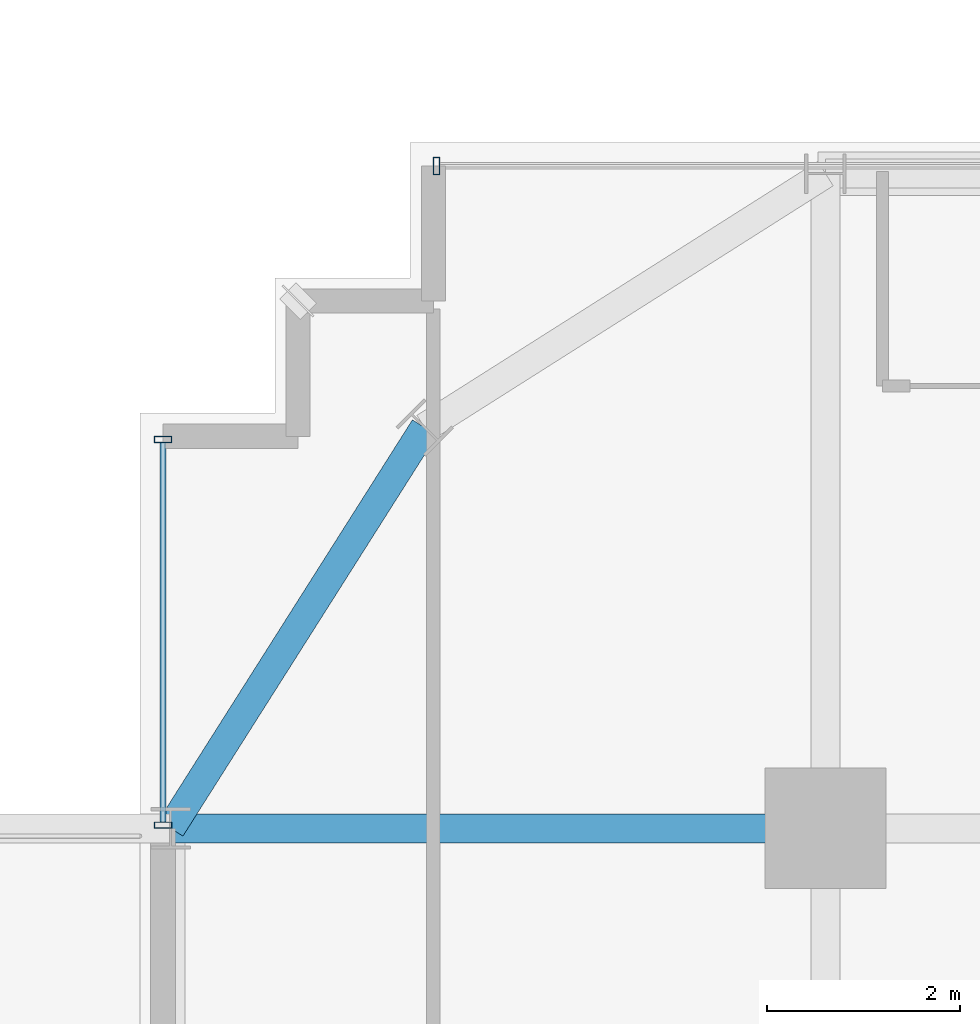
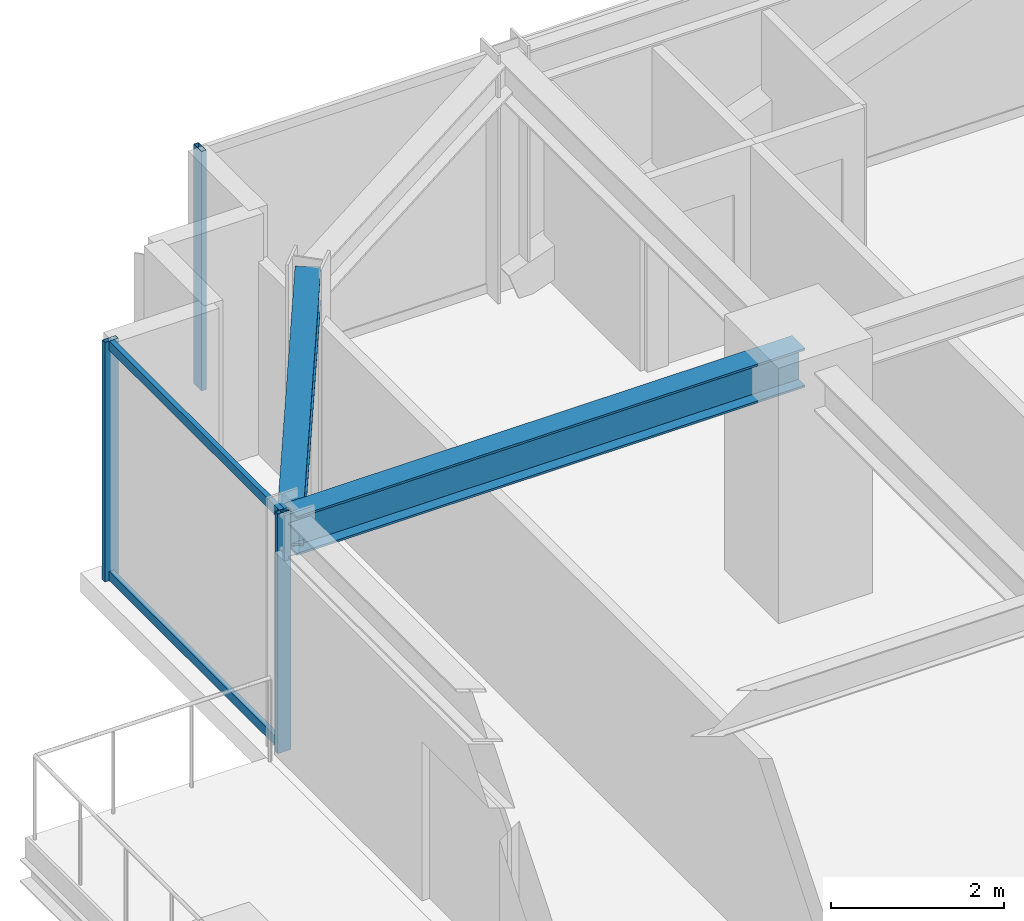
# One storey, part 18 of 39: 5 members, 2 beams, 2 elements without a shape of their own.
"""IFC4 building model written with IfcOpenShell, lengths in metres."""

import ifcopenshell
import ifcopenshell.guid

model = None  # the IFC model being written
_history = None  # IfcOwnerHistory: only IFC2X3 demands one
_inside = {}  # id of a spatial element -> (the spatial element, [elements in it])
_under = {}  # id of a project, library or spatial element -> (it, [spatial elements below it])
_declared = {}  # id of a project -> (the project, [libraries it declares])
_typed = {}  # id of a type object -> (the type object, [elements of that type])
_made_of = {}  # id of a material, layer set ... -> (it, [elements and type objects made of it])


def new_model(schema):
    """Start an empty IFC model of exactly this schema.

    Asked for "IFC4X3", IfcOpenShell would pick the latest addendum, in which some entities
    have other attributes; the version numbers below select the first issue.
    IFC2X3 requires an IfcOwnerHistory on every rooted entity: one is made here for all.
    """
    global model, _history
    if schema == "IFC4X3":
        model = ifcopenshell.file(schema_version=(4, 3, 0, 0))
    else:
        model = ifcopenshell.file(schema=schema)
    _inside.clear()
    _under.clear()
    _declared.clear()
    _typed.clear()
    _made_of.clear()
    _history = None
    if model.schema == "IFC2X3":
        org = make("IfcOrganization", Name="unknown")
        user = make(
            "IfcPersonAndOrganization",
            ThePerson=make("IfcPerson", FamilyName="unknown"),
            TheOrganization=org,
        )
        app = make(
            "IfcApplication",
            ApplicationDeveloper=org,
            Version="unknown",
            ApplicationFullName="unknown",
            ApplicationIdentifier="unknown",
        )
        _history = make(
            "IfcOwnerHistory",
            OwningUser=user,
            OwningApplication=app,
            ChangeAction="ADDED",
            CreationDate=0,
        )
    return model


def make(cls, **values):
    """One entity of the class cls with the attributes given. An attribute that is None is left unset."""
    return model.create_entity(
        cls, **{name: value for name, value in values.items() if value is not None}
    )


def rooted(cls, **values):
    """An entity with a GlobalId (a new one), such as an element, a storey or a relation."""
    return make(cls, GlobalId=ifcopenshell.guid.new(), OwnerHistory=_history, **values)


def si_unit(unit_type, name, prefix=None):
    """IfcSIUnit, for example si_unit("LENGTHUNIT", "METRE", prefix="MILLI")."""
    return make("IfcSIUnit", UnitType=unit_type, Prefix=prefix, Name=name)


def assignment(units):
    """IfcUnitAssignment: the units of a project."""
    return None if units is None else make("IfcUnitAssignment", Units=units)


def point(xyz):
    """IfcCartesianPoint."""
    return None if xyz is None else make("IfcCartesianPoint", Coordinates=xyz)


def direction(xyz):
    """IfcDirection."""
    return None if xyz is None else make("IfcDirection", DirectionRatios=xyz)


def frame(location, z_axis=None, x_axis=None):
    """IfcAxis2Placement3D, a coordinate frame: its origin and axes. An axis left out is left unset."""
    return make(
        "IfcAxis2Placement3D",
        Location=point(location),
        Axis=direction(z_axis),
        RefDirection=direction(x_axis),
    )


def frame_2d(location, x_axis=None):
    """IfcAxis2Placement2D, a coordinate frame in the plane: its origin and x axis."""
    return make(
        "IfcAxis2Placement2D", Location=point(location), RefDirection=direction(x_axis)
    )


def origin():
    """The frame at (0, 0, 0) with its axes left unset."""
    return frame((0.0, 0.0, 0.0))


def origin_2d():
    """The frame at (0, 0) in the plane with its x axis left unset."""
    return frame_2d((0.0, 0.0))


def place(relative_to, where):
    """IfcLocalPlacement: puts the frame where relative to a parent placement (None: the world)."""
    return make(
        "IfcLocalPlacement", PlacementRelTo=relative_to, RelativePlacement=where
    )


def context(
    kind, dimensions, precision=None, world=None, true_north=None, identifier=None
):
    """IfcGeometricRepresentationContext, for example the 3D "Model" context."""
    return make(
        "IfcGeometricRepresentationContext",
        ContextIdentifier=identifier,
        ContextType=kind,
        CoordinateSpaceDimension=dimensions,
        Precision=precision,
        WorldCoordinateSystem=world,
        TrueNorth=true_north,
    )


def subcontext(parent, identifier, kind, view, scale=None):
    """IfcGeometricRepresentationSubContext, for example "Body" below "Model"."""
    return make(
        "IfcGeometricRepresentationSubContext",
        ContextIdentifier=identifier,
        ContextType=kind,
        ParentContext=parent,
        TargetScale=scale,
        TargetView=view,
    )


def project(units=None, contexts=None):
    """IfcProject with its units and contexts."""
    return rooted(
        "IfcProject",
        Name="project",
        RepresentationContexts=contexts,
        UnitsInContext=assignment(units),
    )


def spatial(cls, under=None, at=None, **own):
    """A site, building, storey or space (cls), placed at a placement, below another one or the project."""
    s = rooted(cls, ObjectPlacement=at, **own)
    if under is not None:
        _under.setdefault(under.id(), (under, []))[1].append(s)
    return s


def profile(cls, at=None, kind="AREA", **sizes):
    """A parametric profile (cls). Its sizes go by their IFC names, for example OverallWidth=200.0."""
    return make(cls, ProfileType=kind, Position=at, **sizes)


def hollow_rectangle(**sizes):
    """IfcRectangleHollowProfileDef."""
    return profile("IfcRectangleHollowProfileDef", **sizes)


def i_section(**sizes):
    """IfcIShapeProfileDef."""
    return profile("IfcIShapeProfileDef", **sizes)


def extrude(swept, where, along, depth):
    """IfcExtrudedAreaSolid: the profile swept, set in the frame where, extruded along a direction by depth."""
    return make(
        "IfcExtrudedAreaSolid",
        SweptArea=swept,
        Position=where,
        ExtrudedDirection=direction(along),
        Depth=depth,
    )


def shape(context_of_items, identifier, shape_type, items):
    """IfcShapeRepresentation: the items that make up one representation, for example the "Body"."""
    return make(
        "IfcShapeRepresentation",
        ContextOfItems=context_of_items,
        RepresentationIdentifier=identifier,
        RepresentationType=shape_type,
        Items=items,
    )


def source(mapping_origin, context_of_items, identifier, shape_type, items):
    """IfcRepresentationMap: a shape defined once, which mapped items show again and again."""
    return make(
        "IfcRepresentationMap",
        MappingOrigin=mapping_origin,
        MappedRepresentation=shape(context_of_items, identifier, shape_type, items),
    )


def transform(
    local_origin,
    x_axis=None,
    y_axis=None,
    z_axis=None,
    scale=None,
    scale2=None,
    scale3=None,
    uniform=True,
):
    """IfcCartesianTransformationOperator3D, or its non-uniform kind. x_axis, y_axis, z_axis: its Axis1, 2, 3."""
    if uniform:
        return make(
            "IfcCartesianTransformationOperator3D",
            Axis1=direction(x_axis),
            Axis2=direction(y_axis),
            LocalOrigin=point(local_origin),
            Scale=scale,
            Axis3=direction(z_axis),
        )
    return make(
        "IfcCartesianTransformationOperator3DnonUniform",
        Axis1=direction(x_axis),
        Axis2=direction(y_axis),
        LocalOrigin=point(local_origin),
        Scale=scale,
        Axis3=direction(z_axis),
        Scale2=scale2,
        Scale3=scale3,
    )


def mapped(mapping_source, mapping_target):
    """IfcMappedItem: shows the shape of a source again, moved by a transform."""
    return make(
        "IfcMappedItem", MappingSource=mapping_source, MappingTarget=mapping_target
    )


def material(Name=None, Category=None):
    """IfcMaterial."""
    return make("IfcMaterial", Name=Name, Category=Category)


def material_profile(
    of_material, cross_section, Name=None, Category=None, Priority=None
):
    """IfcMaterialProfile: a cross section and its material."""
    return make(
        "IfcMaterialProfile",
        Name=Name,
        Material=of_material,
        Profile=cross_section,
        Priority=Priority,
        Category=Category,
    )


def profile_set(profiles, Name=None, composite=None):
    """IfcMaterialProfileSet."""
    return make(
        "IfcMaterialProfileSet",
        Name=Name,
        MaterialProfiles=profiles,
        CompositeProfile=composite,
    )


def made_of(thing, what):
    """Note that an element or type object is made of a material, layer set ...; save() writes the relation."""
    if what is not None:
        _made_of.setdefault(what.id(), (what, []))[1].append(thing)
    return thing


def type_object(cls, material=None, **own):
    """A type object (cls), such as IfcWallType, which elements share."""
    return made_of(rooted(cls, **own), material)


def element(
    cls,
    number,
    at=None,
    inside=None,
    cuts=None,
    type_object=None,
    material=None,
    context=None,
    identifier="Body",
    shape_type=None,
    held_by="IfcProductDefinitionShape",
    body=None,
    shapes=None,
    **own,
):
    """One element of the class cls, such as IfcWall. Its Tag is "e" and its number.

    at: its placement. inside: the storey or other place that contains it. cuts: it is an
    opening in that element (IfcRelVoidsElement). A single representation is given by context,
    identifier, shape_type and body (its items); several are given by shapes. held_by: the class
    of the entity that holds the representations. save() writes the other relations.
    """
    e = rooted(cls, Tag="e%d" % number, ObjectPlacement=at, **own)
    if body is not None:
        shapes = [shape(context, identifier, shape_type, body)]
    if shapes is not None:
        e.Representation = make(held_by, Representations=shapes)
    if inside is not None:
        _inside.setdefault(inside.id(), (inside, []))[1].append(e)
    if cuts is not None:
        rooted(
            "IfcRelVoidsElement", RelatingBuildingElement=cuts, RelatedOpeningElement=e
        )
    if type_object is not None:
        _typed.setdefault(type_object.id(), (type_object, []))[1].append(e)
    return made_of(e, material)


def aggregate(whole, parts):
    """IfcRelAggregates: a whole, such as a stair, and the parts it consists of."""
    return rooted("IfcRelAggregates", RelatingObject=whole, RelatedObjects=parts)


def save(model, path):
    """Write the relations noted so far, then the file.

    IfcRelAggregates (storeys below a building ...), IfcRelContainedInSpatialStructure (elements
    in a storey), IfcRelDefinesByType, IfcRelAssociatesMaterial and IfcRelDeclares: one each for
    every whole, place, type object, material and project.
    """
    for whole, parts in _under.values():
        aggregate(whole, parts)
    for where, things in _inside.values():
        rooted(
            "IfcRelContainedInSpatialStructure",
            RelatedElements=things,
            RelatingStructure=where,
        )
    for kind, things in _typed.values():
        rooted("IfcRelDefinesByType", RelatedObjects=things, RelatingType=kind)
    for what, things in _made_of.values():
        rooted("IfcRelAssociatesMaterial", RelatedObjects=things, RelatingMaterial=what)
    for by, libraries in _declared.values():
        rooted("IfcRelDeclares", RelatingContext=by, RelatedDefinitions=libraries)
    model.write(path)


model = new_model("IFC4")

# Units and contexts
model_context = context("Model", 3, precision=1e-05, world=origin(), true_north=direction((0.0, 1.0)))
body_context = subcontext(model_context, "Body", "Model", "MODEL_VIEW")
ifc_project = project(units=[si_unit("LENGTHUNIT", "METRE"), si_unit("AREAUNIT", "SQUARE_METRE"), si_unit("VOLUMEUNIT", "CUBIC_METRE"), si_unit("PLANEANGLEUNIT", "RADIAN"), si_unit("MASSUNIT", "GRAM", prefix="KILO")], contexts=[model_context])

# Site, building, storey
site_placement = place(None, origin())
site = spatial("IfcSite", under=ifc_project, at=site_placement, CompositionType="ELEMENT")
building_placement = place(site_placement, origin())
building = spatial("IfcBuilding", under=site, at=building_placement, Name="Nahalor Promenade Grand Hotel", CompositionType="ELEMENT")
storey_placement = place(building_placement, frame((0.0, 0.0, 135.75)))
storey = spatial("IfcBuildingStorey", under=building, at=storey_placement, Name="L34", CompositionType="ELEMENT", Elevation=135.75)

# Beams
ifc_material_1 = material(Name="Steel S355JR", Category="steel")
ifc_material_profile_1 = material_profile(ifc_material_1, i_section(OverallWidth=0.3, OverallDepth=0.5, WebThickness=0.0145, FlangeThickness=0.028, at=origin_2d()), Name="HEB 500")
ifc_profile_set_1 = profile_set([ifc_material_profile_1], Name="Steel S355JR")
beam_type_1 = type_object("IfcBeamType", Name="Beam-Spandrel-HEB500", PredefinedType="SPANDREL", material=ifc_profile_set_1)
shared_shape_1 = source(origin(), body_context, "Body", "SweptSolid", [
    extrude(i_section(OverallWidth=0.3, OverallDepth=0.5, WebThickness=0.0145, FlangeThickness=0.028, at=origin_2d()), origin(), (0.0, 0.0, 1.0), 4.9130859375),
])
beam_1_placement = place(storey_placement, frame((-21.14990234375, 21.14990234375, 3.1298828125), z_axis=(-0.535321591403, -0.844648325505, 0.0), x_axis=(0.844648325505, -0.535321591403, 0.0)))
element("IfcBeam", 1, at=beam_1_placement, inside=storey, type_object=beam_type_1, Name="BM-L34-SPC-NW-2", PredefinedType="SPANDREL", context=body_context, shape_type="MappedRepresentation", body=[
    mapped(shared_shape_1, transform((0.0, 0.0, 0.0), scale=1.0)),
])
ifc_material_profile_2 = material_profile(ifc_material_1, i_section(OverallWidth=0.3, OverallDepth=0.55, WebThickness=0.015, FlangeThickness=0.029, at=origin_2d()), Name="HEB 550")
ifc_profile_set_2 = profile_set([ifc_material_profile_2], Name="Steel S355JR")
beam_type_2 = type_object("IfcBeamType", Name="Beam-Girder-HEB550", PredefinedType="BEAM", material=ifc_profile_set_2)
shared_shape_2 = source(origin(), body_context, "Body", "SweptSolid", [
    extrude(i_section(OverallWidth=0.3, OverallDepth=0.55, WebThickness=0.015, FlangeThickness=0.029, at=origin_2d()), origin(), (0.0, 0.0, 1.0), 6.780029296875),
])
beam_2_placement = place(storey_placement, frame((-23.780029296875, 17.0, 3.10498046875), z_axis=(1.0, 0.0, 0.0), x_axis=(0.0, 1.0, 0.0)))
element("IfcBeam", 2, at=beam_2_placement, inside=storey, type_object=beam_type_2, Name="BM-L34-GX-3-0", PredefinedType="BEAM", context=body_context, shape_type="MappedRepresentation", body=[
    mapped(shared_shape_2, transform((0.0, 0.0, 0.0), scale=1.0)),
])

# Curtain wall, member
ifc_material_2 = material(Name="Anodised Bronze Aluminium EN AW-6063 T6", Category="aluminium")
curtain_wall_type = type_object("IfcCurtainWallType", Name="CW2 Typical Hotel Flush Bronze Unitised Curtain Wall", PredefinedType="USERDEFINED", material=ifc_material_2)
curtain_wall_1_placement = place(storey_placement, origin())
curtain_wall_1 = element("IfcCurtainWall", 3, at=curtain_wall_1_placement, inside=storey, type_object=curtain_wall_type, Name="L34 Curtain Wall CW-L34-N-1", ObjectType="UNITISED_CURTAIN_WALL", PredefinedType="USERDEFINED")
ifc_material_profile_3 = material_profile(ifc_material_2, hollow_rectangle(XDim=0.065, YDim=0.18, WallThickness=0.004, at=origin_2d()), Name="CWM 65x180x4")
ifc_profile_set_3 = profile_set([ifc_material_profile_3], Name="Anodised Bronze Aluminium EN AW-6063 T6")
member_type_1 = type_object("IfcMemberType", Name="CWM2 Typical Bronze Mullion 65x180", PredefinedType="MULLION", material=ifc_profile_set_3)
shared_shape_3 = source(origin(), body_context, "Body", "SweptSolid", [
    extrude(hollow_rectangle(XDim=0.065, YDim=0.18, WallThickness=0.004, at=origin_2d()), origin(), (0.0, 0.0, 1.0), 3.3798828125),
])
member_1_placement = place(storey_placement, frame((-21.027587890625, 23.860107421875, 0.0), z_axis=(0.0, 0.0, 1.0), x_axis=(1.0, 0.0, 0.0)))
member_1 = element("IfcMember", 4, at=member_1_placement, type_object=member_type_1, Name="CW-L34-N-1 Mullion 0", PredefinedType="MULLION", context=body_context, shape_type="MappedRepresentation", body=[
    mapped(shared_shape_3, transform((0.0, 0.0, 0.0), scale=1.0)),
])
aggregate(curtain_wall_1, [member_1])

# Curtain wall, members
curtain_wall_2_placement = place(storey_placement, origin())
curtain_wall_2 = element("IfcCurtainWall", 5, at=curtain_wall_2_placement, inside=storey, type_object=curtain_wall_type, Name="L34 Curtain Wall CW-L34-W-3", ObjectType="UNITISED_CURTAIN_WALL", PredefinedType="USERDEFINED")
member_2_placement = place(storey_placement, frame((-23.860107421875, 17.032470703125, 0.0), z_axis=(0.0, 0.0, 1.0), x_axis=(0.0, 1.0, 0.0)))
member_2 = element("IfcMember", 6, at=member_2_placement, type_object=member_type_1, Name="CW-L34-W-3 Mullion 0", PredefinedType="MULLION", context=body_context, shape_type="MappedRepresentation", body=[
    mapped(shared_shape_3, transform((0.0, 0.0, 0.0), scale=1.0)),
])
member_3_placement = place(storey_placement, frame((-23.860107421875, 21.027587890625, 0.0), z_axis=(0.0, 0.0, 1.0), x_axis=(0.0, 1.0, 0.0)))
member_3 = element("IfcMember", 7, at=member_3_placement, type_object=member_type_1, Name="CW-L34-W-3 Mullion 1", PredefinedType="MULLION", context=body_context, shape_type="MappedRepresentation", body=[
    mapped(shared_shape_3, transform((0.0, 0.0, 0.0), scale=1.0)),
])
ifc_material_profile_4 = material_profile(ifc_material_2, hollow_rectangle(XDim=0.065, YDim=0.13, WallThickness=0.004, at=origin_2d()), Name="CWT 65x130x4")
ifc_profile_set_4 = profile_set([ifc_material_profile_4], Name="Anodised Bronze Aluminium EN AW-6063 T6")
member_type_2 = type_object("IfcMemberType", Name="CWT2 Typical Bronze Transom 65x130", PredefinedType="USERDEFINED", material=ifc_profile_set_4)
shared_shape_4 = source(origin(), body_context, "Body", "SweptSolid", [
    extrude(hollow_rectangle(XDim=0.065, YDim=0.13, WallThickness=0.004, at=origin_2d()), origin(), (0.0, 0.0, 1.0), 3.93017578125),
])
member_4_placement = place(storey_placement, frame((-23.860107421875, 17.06494140625, 0.06494140625), z_axis=(0.0, 1.0, 0.0), x_axis=(-1.0, 0.0, 0.0)))
member_4 = element("IfcMember", 8, at=member_4_placement, type_object=member_type_2, Name="CW-L34-W-3 Transom 0-0", ObjectType="TRANSOM", PredefinedType="USERDEFINED", context=body_context, shape_type="MappedRepresentation", body=[
    mapped(shared_shape_4, transform((0.0, 0.0, 0.0), scale=1.0)),
])
member_5_placement = place(storey_placement, frame((-23.860107421875, 17.06494140625, 3.31494140625), z_axis=(0.0, 1.0, 0.0), x_axis=(-1.0, 0.0, 0.0)))
member_5 = element("IfcMember", 9, at=member_5_placement, type_object=member_type_2, Name="CW-L34-W-3 Transom 0-1", ObjectType="TRANSOM", PredefinedType="USERDEFINED", context=body_context, shape_type="MappedRepresentation", body=[
    mapped(shared_shape_4, transform((0.0, 0.0, 0.0), scale=1.0)),
])
aggregate(curtain_wall_2, [member_2, member_3, member_4, member_5])

save(model, "model.ifc")
